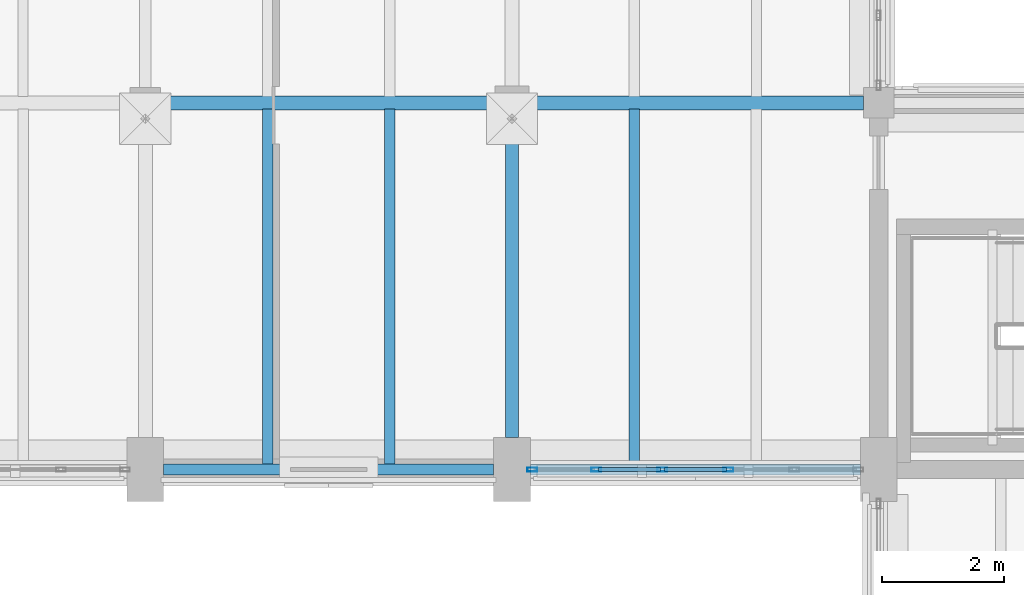
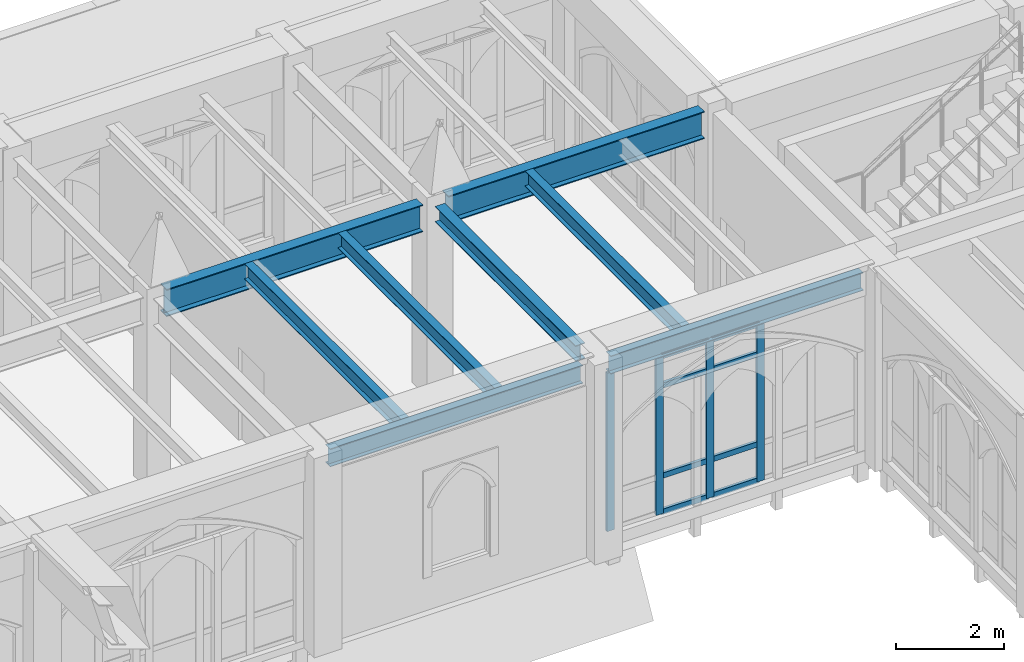
# One storey, part 62 of 143: 12 members, 8 beams, 1 element without a shape of its own.
"""IFC4 building model written with IfcOpenShell, lengths in metres."""

from ifc_helpers import new_model, si_unit, direction, frame, origin, origin_2d, place, context, subcontext, project, spatial, hollow_rectangle, i_section, extrude, material, layer, layer_set, material_profile, profile_set, type_object, element, aggregate, save


model = new_model("IFC4")

# Units and contexts
model_context = context("Model", 3, precision=1e-05, world=origin(), true_north=direction((0.0, 1.0)))
body_context = subcontext(model_context, "Body", "Model", "MODEL_VIEW")
ifc_project = project(units=[si_unit("LENGTHUNIT", "METRE"), si_unit("AREAUNIT", "SQUARE_METRE"), si_unit("VOLUMEUNIT", "CUBIC_METRE"), si_unit("PLANEANGLEUNIT", "RADIAN"), si_unit("MASSUNIT", "GRAM", prefix="KILO")], contexts=[model_context])

# Site, building, storey
site_placement = place(None, origin())
site = spatial("IfcSite", under=ifc_project, at=site_placement, CompositionType="ELEMENT")
building_placement = place(site_placement, origin())
building = spatial("IfcBuilding", under=site, at=building_placement, Name="Cumevento Cable Car Station", CompositionType="ELEMENT")
storey_placement = place(building_placement, frame((0.0, 0.0, 9.0)))
storey = spatial("IfcBuildingStorey", under=building, at=storey_placement, Name="L03", CompositionType="ELEMENT", Elevation=9.0)

# Curtain wall, members
ifc_material_1 = material(Name="Anodised Bronze Aluminium AW-6063-T6", Category="aluminium")
ifc_layer = layer(ifc_material_1, 0.172119140625)
ifc_layer_set = layer_set([ifc_layer], Name="Anodised Bronze Aluminium AW-6063-T6")
curtain_wall_type = type_object("IfcCurtainWallType", Name="Lancet Curtain Wall CW-03 1130", PredefinedType="NOTDEFINED", material=ifc_layer_set)
curtain_wall_placement = place(storey_placement, origin())
curtain_wall = element("IfcCurtainWall", 1, at=curtain_wall_placement, inside=storey, type_object=curtain_wall_type, Name="Lancet Curtain Wall CW-03 L03 #114", PredefinedType="NOTDEFINED")
ifc_material_2 = material(Name="Anodised Bronze Aluminium AW-6063-T6", Category="aluminium")
ifc_material_profile_1 = material_profile(ifc_material_2, hollow_rectangle(XDim=0.06494140625, YDim=0.159912109375, WallThickness=0.00390625, at=origin_2d()), Name="ALUM65x160x4")
ifc_profile_set_1 = profile_set([ifc_material_profile_1], Name="Anodised Bronze Aluminium AW-6063-T6")
member_type_1 = type_object("IfcMemberType", Name="Curtain Mullion CWM-01 ALUM65x160x4", PredefinedType="MULLION", material=ifc_profile_set_1)
member_1_placement = place(storey_placement, frame((115.5400390625, 45.0, 0.260009765625), z_axis=(0.0, 0.0, 1.0), x_axis=(0.0, -1.0, 0.0)))
member_1 = element("IfcMember", 2, at=member_1_placement, type_object=member_type_1, Name="CW-03 mullion 3", PredefinedType="MULLION", context=body_context, shape_type="SweptSolid", body=[
    extrude(hollow_rectangle(XDim=0.06494140625, YDim=0.159912109375, WallThickness=0.00390625, at=origin_2d()), origin(), (0.0, 0.0, 1.0), 3.5849609375),
])
member_2_placement = place(storey_placement, frame((114.4599609375, 45.0, 0.260009765625), z_axis=(0.0, 0.0, 1.0), x_axis=(0.0, -1.0, 0.0)))
member_2 = element("IfcMember", 3, at=member_2_placement, type_object=member_type_1, Name="CW-03 mullion 4", PredefinedType="MULLION", context=body_context, shape_type="SweptSolid", body=[
    extrude(hollow_rectangle(XDim=0.06494140625, YDim=0.159912109375, WallThickness=0.00390625, at=origin_2d()), origin(), (0.0, 0.0, 1.0), 3.5849609375),
])
member_3_placement = place(storey_placement, frame((113.3798828125, 45.0, 0.260009765625), z_axis=(0.0, 0.0, 1.0), x_axis=(0.0, -1.0, 0.0)))
member_3 = element("IfcMember", 4, at=member_3_placement, type_object=member_type_1, Name="CW-03 mullion 5", PredefinedType="MULLION", context=body_context, shape_type="SweptSolid", body=[
    extrude(hollow_rectangle(XDim=0.06494140625, YDim=0.159912109375, WallThickness=0.00390625, at=origin_2d()), origin(), (0.0, 0.0, 1.0), 3.5849609375),
])
member_4_placement = place(storey_placement, frame((112.33251953125, 45.0, 0.260009765625), z_axis=(0.0, 0.0, 1.0), x_axis=(0.0, -1.0, 0.0)))
member_4 = element("IfcMember", 5, at=member_4_placement, type_object=member_type_1, Name="CW-03 mullion 6", PredefinedType="MULLION", context=body_context, shape_type="SweptSolid", body=[
    extrude(hollow_rectangle(XDim=0.06494140625, YDim=0.159912109375, WallThickness=0.00390625, at=origin_2d()), origin(), (0.0, 0.0, 1.0), 3.5849609375),
])
ifc_material_3 = material(Name="Anodised Bronze Aluminium AW-6063-T6", Category="aluminium")
ifc_material_profile_2 = material_profile(ifc_material_3, hollow_rectangle(XDim=0.06494140625, YDim=0.1201171875, WallThickness=0.00390625, at=origin_2d()), Name="ALUT65x120x4")
ifc_profile_set_2 = profile_set([ifc_material_profile_2], Name="Anodised Bronze Aluminium AW-6063-T6")
member_type_2 = type_object("IfcMemberType", Name="Curtain Transom CWT-01 ALUT65x120x4", PredefinedType="USERDEFINED", material=ifc_profile_set_2)
member_5_placement = place(storey_placement, frame((115.507568359375, 45.0, 0.29248046875), z_axis=(-1.0, 0.0, 0.0), x_axis=(0.0, -1.0, 0.0)))
member_5 = element("IfcMember", 6, at=member_5_placement, type_object=member_type_2, Name="CW-03 transom 3.1", ObjectType="TRANSOM", PredefinedType="USERDEFINED", context=body_context, shape_type="SweptSolid", body=[
    extrude(hollow_rectangle(XDim=0.06494140625, YDim=0.1201171875, WallThickness=0.00390625, at=origin_2d()), origin(), (0.0, 0.0, 1.0), 1.01513671875),
])
member_6_placement = place(storey_placement, frame((115.507568359375, 45.0, 1.110107421875), z_axis=(-1.0, 0.0, 0.0), x_axis=(0.0, -1.0, 0.0)))
member_6 = element("IfcMember", 7, at=member_6_placement, type_object=member_type_2, Name="CW-03 transom 3.2", ObjectType="TRANSOM", PredefinedType="USERDEFINED", context=body_context, shape_type="SweptSolid", body=[
    extrude(hollow_rectangle(XDim=0.06494140625, YDim=0.1201171875, WallThickness=0.00390625, at=origin_2d()), origin(), (0.0, 0.0, 1.0), 1.01513671875),
])
member_7_placement = place(storey_placement, frame((115.507568359375, 45.0, 3.14501953125), z_axis=(-1.0, 0.0, 0.0), x_axis=(0.0, -1.0, 0.0)))
member_7 = element("IfcMember", 8, at=member_7_placement, type_object=member_type_2, Name="CW-03 transom 3.3", ObjectType="TRANSOM", PredefinedType="USERDEFINED", context=body_context, shape_type="SweptSolid", body=[
    extrude(hollow_rectangle(XDim=0.06494140625, YDim=0.1201171875, WallThickness=0.00390625, at=origin_2d()), origin(), (0.0, 0.0, 1.0), 1.01513671875),
])
member_8_placement = place(storey_placement, frame((115.507568359375, 45.0, 3.8125), z_axis=(-1.0, 0.0, 0.0), x_axis=(0.0, -1.0, 0.0)))
member_8 = element("IfcMember", 9, at=member_8_placement, type_object=member_type_2, Name="CW-03 transom 3.4", ObjectType="TRANSOM", PredefinedType="USERDEFINED", context=body_context, shape_type="SweptSolid", body=[
    extrude(hollow_rectangle(XDim=0.06494140625, YDim=0.1201171875, WallThickness=0.00390625, at=origin_2d()), origin(), (0.0, 0.0, 1.0), 1.01513671875),
])
member_9_placement = place(storey_placement, frame((114.427490234375, 45.0, 0.29248046875), z_axis=(-1.0, 0.0, 0.0), x_axis=(0.0, -1.0, 0.0)))
member_9 = element("IfcMember", 10, at=member_9_placement, type_object=member_type_2, Name="CW-03 transom 4.1", ObjectType="TRANSOM", PredefinedType="USERDEFINED", context=body_context, shape_type="SweptSolid", body=[
    extrude(hollow_rectangle(XDim=0.06494140625, YDim=0.1201171875, WallThickness=0.00390625, at=origin_2d()), origin(), (0.0, 0.0, 1.0), 1.014892578125),
])
member_10_placement = place(storey_placement, frame((114.427490234375, 45.0, 1.110107421875), z_axis=(-1.0, 0.0, 0.0), x_axis=(0.0, -1.0, 0.0)))
member_10 = element("IfcMember", 11, at=member_10_placement, type_object=member_type_2, Name="CW-03 transom 4.2", ObjectType="TRANSOM", PredefinedType="USERDEFINED", context=body_context, shape_type="SweptSolid", body=[
    extrude(hollow_rectangle(XDim=0.06494140625, YDim=0.1201171875, WallThickness=0.00390625, at=origin_2d()), origin(), (0.0, 0.0, 1.0), 1.014892578125),
])
member_11_placement = place(storey_placement, frame((114.427490234375, 45.0, 3.14501953125), z_axis=(-1.0, 0.0, 0.0), x_axis=(0.0, -1.0, 0.0)))
member_11 = element("IfcMember", 12, at=member_11_placement, type_object=member_type_2, Name="CW-03 transom 4.3", ObjectType="TRANSOM", PredefinedType="USERDEFINED", context=body_context, shape_type="SweptSolid", body=[
    extrude(hollow_rectangle(XDim=0.06494140625, YDim=0.1201171875, WallThickness=0.00390625, at=origin_2d()), origin(), (0.0, 0.0, 1.0), 1.014892578125),
])
member_12_placement = place(storey_placement, frame((114.427490234375, 45.0, 3.8125), z_axis=(-1.0, 0.0, 0.0), x_axis=(0.0, -1.0, 0.0)))
member_12 = element("IfcMember", 13, at=member_12_placement, type_object=member_type_2, Name="CW-03 transom 4.4", ObjectType="TRANSOM", PredefinedType="USERDEFINED", context=body_context, shape_type="SweptSolid", body=[
    extrude(hollow_rectangle(XDim=0.06494140625, YDim=0.1201171875, WallThickness=0.00390625, at=origin_2d()), origin(), (0.0, 0.0, 1.0), 1.014892578125),
])
aggregate(curtain_wall, [member_1, member_2, member_3, member_4, member_5, member_6, member_7, member_8, member_9, member_10, member_11, member_12])

# Beams
ifc_material_4 = material(Name="Steel ASTM A572 Grade 50", Category="steel")
ifc_material_profile_3 = material_profile(ifc_material_4, i_section(OverallWidth=0.22998046875, OverallDepth=0.616943359375, WebThickness=0.01318359375, FlangeThickness=0.022216796875, at=origin_2d()), Name="W610x140.0")
ifc_profile_set_3 = profile_set([ifc_material_profile_3], Name="Steel ASTM A572 Grade 50")
beam_type_1 = type_object("IfcBeamType", Name="Structural Beam BM-01 W610x140.0", PredefinedType="BEAM", material=ifc_profile_set_3)
for number, where, z_axis, x_axis, name in (
    (14, (106.25, 51.0, 3.943603515625), (1.0, 0.0, 0.0), (0.0, 1.0, 0.0), "Beam BM-01 L03 #1091"),
    (15, (112.27490234375, 51.0, 3.943603515625), (1.0, 0.0, 0.0), (0.0, 1.0, 0.0), "Beam BM-01 L03 #1092"),
):
    element("IfcBeam", number, at=place(storey_placement, frame(where, z_axis=z_axis, x_axis=x_axis)), inside=storey, type_object=beam_type_1, Name=name, PredefinedType="BEAM", context=body_context, shape_type="SweptSolid", body=[
        extrude(i_section(OverallWidth=0.22998046875, OverallDepth=0.616943359375, WebThickness=0.01318359375, FlangeThickness=0.022216796875, at=origin_2d()), origin(), (0.0, 0.0, 1.0), 5.47509765625),
    ])
ifc_material_5 = material(Name="Steel ASTM A572 Grade 50", Category="steel")
ifc_material_profile_4 = material_profile(ifc_material_5, i_section(OverallWidth=0.205078125, OverallDepth=0.35400390625, WebThickness=0.009521484375, FlangeThickness=0.016845703125, at=origin_2d()), Name="W360x79.0")
ifc_profile_set_4 = profile_set([ifc_material_profile_4], Name="Steel ASTM A572 Grade 50")
beam_type_2 = type_object("IfcBeamType", Name="Structural Beam BM-05 W360x79.0", PredefinedType="BEAM", material=ifc_profile_set_4)
beam_placement = place(storey_placement, frame((112.0, 45.52490234375, 4.074951171875), z_axis=(0.0, 1.0, 0.0), x_axis=(-1.0, 0.0, 0.0)))
element("IfcBeam", 16, at=beam_placement, inside=storey, type_object=beam_type_2, Name="Beam BM-05 L03 #1104", PredefinedType="BEAM", context=body_context, shape_type="SweptSolid", body=[
    extrude(i_section(OverallWidth=0.205078125, OverallDepth=0.35400390625, WebThickness=0.009521484375, FlangeThickness=0.016845703125, at=origin_2d()), origin(), (0.0, 0.0, 1.0), 5.2001953125),
])
ifc_material_6 = material(Name="Steel ASTM A572 Grade 50", Category="steel")
ifc_material_profile_5 = material_profile(ifc_material_6, i_section(OverallWidth=0.1708984375, OverallDepth=0.35498046875, WebThickness=0.007080078125, FlangeThickness=0.01171875, at=origin_2d()), Name="W360x51.0")
ifc_profile_set_5 = profile_set([ifc_material_profile_5], Name="Steel ASTM A572 Grade 50")
beam_type_3 = type_object("IfcBeamType", Name="Structural Joist JS-01 W360x51.0", PredefinedType="JOIST", material=ifc_profile_set_5)
for number, where, z_axis, x_axis, name in (
    (17, (108.0, 45.076904296875, 4.074462890625), (0.0, 1.0, 0.0), (-1.0, 0.0, 0.0), "Composite Floor Joist JS-01 L03 #1276"),
    (18, (110.0, 45.076904296875, 4.074462890625), (0.0, 1.0, 0.0), (-1.0, 0.0, 0.0), "Composite Floor Joist JS-01 L03 #1278"),
    (19, (114.0, 45.076904296875, 4.074462890625), (0.0, 1.0, 0.0), (-1.0, 0.0, 0.0), "Composite Floor Joist JS-01 L03 #1280"),
):
    element("IfcBeam", number, at=place(storey_placement, frame(where, z_axis=z_axis, x_axis=x_axis)), inside=storey, type_object=beam_type_3, Name=name, PredefinedType="JOIST", context=body_context, shape_type="SweptSolid", body=[
        extrude(i_section(OverallWidth=0.1708984375, OverallDepth=0.35498046875, WebThickness=0.007080078125, FlangeThickness=0.01171875, at=origin_2d()), origin(), (0.0, 0.0, 1.0), 5.820068359375),
    ])
ifc_material_7 = material(Name="Steel ASTM A572 Grade 50", Category="steel")
ifc_material_profile_6 = material_profile(ifc_material_7, i_section(OverallWidth=0.177978515625, OverallDepth=0.406982421875, WebThickness=0.0078125, FlangeThickness=0.0126953125, at=origin_2d()), Name="W410x60.0")
ifc_profile_set_6 = profile_set([ifc_material_profile_6], Name="Steel ASTM A572 Grade 50")
beam_type_4 = type_object("IfcBeamType", Name="Structural Spandrel SP-01 W410x60.0", PredefinedType="SPANDREL", material=ifc_profile_set_6)
for number, where, z_axis, x_axis, name in (
    (20, (106.300048828125, 45.0, 4.048583984375), (1.0, 0.0, 0.0), (0.0, 1.0, 0.0), "Beam SP-01 L03 #1086"),
    (21, (112.300048828125, 45.0, 4.048583984375), (1.0, 0.0, 0.0), (0.0, 1.0, 0.0), "Beam SP-01 L03 #1087"),
):
    element("IfcBeam", number, at=place(storey_placement, frame(where, z_axis=z_axis, x_axis=x_axis)), inside=storey, type_object=beam_type_4, Name=name, PredefinedType="SPANDREL", context=body_context, shape_type="SweptSolid", body=[
        extrude(i_section(OverallWidth=0.177978515625, OverallDepth=0.406982421875, WebThickness=0.0078125, FlangeThickness=0.0126953125, at=origin_2d()), origin(), (0.0, 0.0, 1.0), 5.39990234375),
    ])

save(model, "model.ifc")
